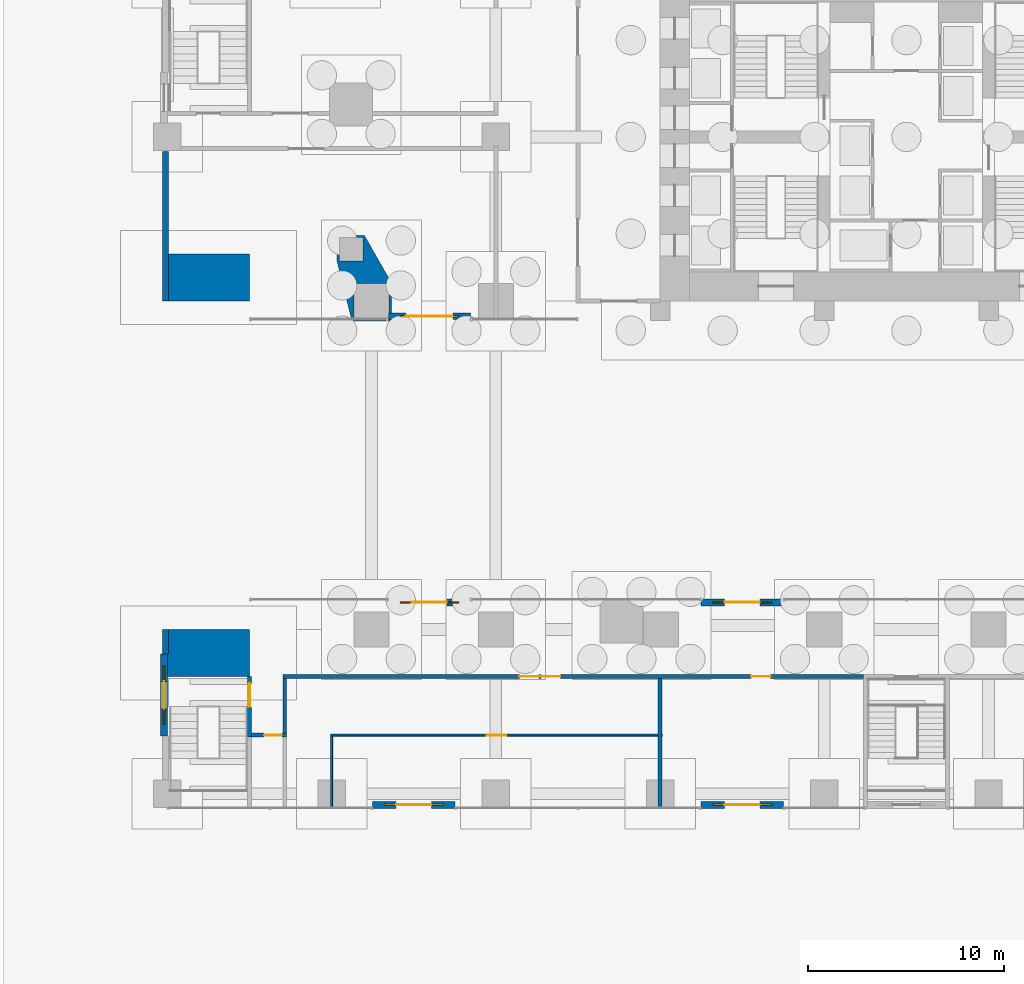
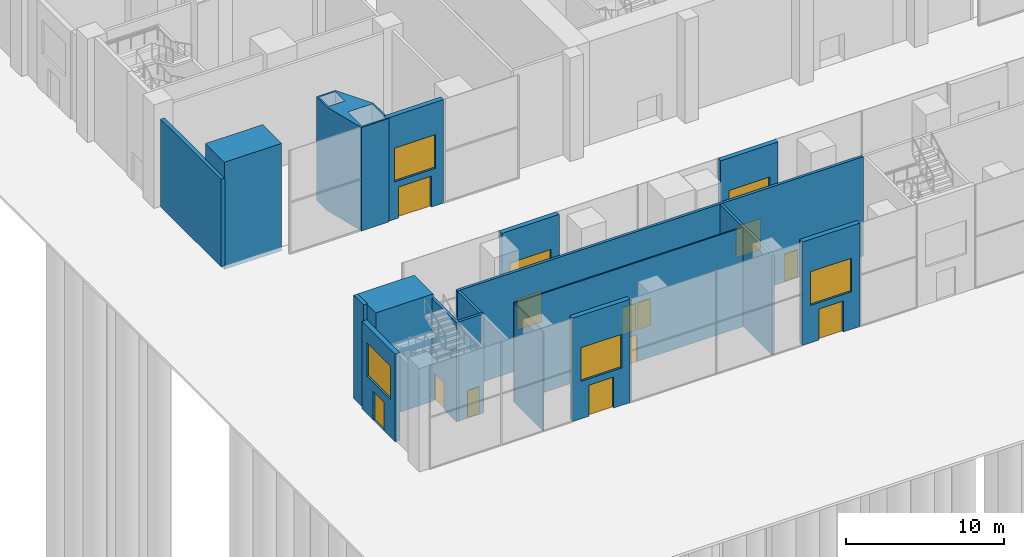
# One storey, part 13 of 31: 18 walls, 12 doors, 6 windows, 18 openings.
"""IFC4 building model written with IfcOpenShell, lengths in metres."""

from ifc_helpers import new_model, si_unit, direction, frame, frame_2d, origin, place, context, subcontext, project, spatial, polyline, rectangle, outline, extrude, material, layer, layer_set, type_object, element, fill, save


model = new_model("IFC4")

# Units and contexts
model_context = context("Model", 3, precision=1e-05, world=origin(), true_north=direction((0.0, 1.0)))
body_context = subcontext(model_context, "Body", "Model", "MODEL_VIEW")
ifc_project = project(units=[si_unit("LENGTHUNIT", "METRE"), si_unit("AREAUNIT", "SQUARE_METRE"), si_unit("VOLUMEUNIT", "CUBIC_METRE"), si_unit("PLANEANGLEUNIT", "RADIAN"), si_unit("MASSUNIT", "GRAM", prefix="KILO")], contexts=[model_context])

# Site, building, storey
site_placement = place(None, origin())
site = spatial("IfcSite", under=ifc_project, at=site_placement, CompositionType="ELEMENT")
building_placement = place(site_placement, origin())
building = spatial("IfcBuilding", under=site, at=building_placement, Name="Marenta Gate Hotel Tower", CompositionType="ELEMENT")
storey_placement = place(building_placement, origin())
storey = spatial("IfcBuildingStorey", under=building, at=storey_placement, Name="L00", CompositionType="ELEMENT", Elevation=0.0)

# Walls
ifc_material_1 = material(Name="Concrete C40 board-marked", Category="concrete")
ifc_layer_1 = layer(ifc_material_1, 0.300048828125)
ifc_layer_set_1 = layer_set([ifc_layer_1], Name="Concrete C40 board-marked")
wall_type_1 = type_object("IfcWallType", Name="Board-marked concrete wall 300 mm", PredefinedType="NOTDEFINED", material=ifc_layer_set_1)
wall_1_placement = place(storey_placement, frame((-37.889892578125, -16.800048828125, 0.0), z_axis=(0.0, 0.0, 1.0), x_axis=(0.0, -1.0, 0.0)))
element("IfcWall", 1, at=wall_1_placement, inside=storey, type_object=wall_type_1, Name="L00-CLD-SB-W000", PredefinedType="NOTDEFINED", context=body_context, shape_type="SweptSolid", body=[
    extrude(rectangle(XDim=1.25, YDim=0.300048828125, at=frame_2d((0.625, 0.0))), origin(), (0.0, 0.0, 1.0), 8.0),
])
wall_2_placement = place(storey_placement, frame((-37.889892578125, 7.659912109375, 0.0), z_axis=(0.0, 0.0, 1.0), x_axis=(0.0, -1.0, 0.0)))
element("IfcWall", 2, at=wall_2_placement, inside=storey, type_object=wall_type_1, Name="L00-CLD-NB-W005", PredefinedType="NOTDEFINED", context=body_context, shape_type="SweptSolid", body=[
    extrude(rectangle(XDim=7.659912109375, YDim=0.300048828125, at=frame_2d((3.830078125, 0.0))), origin(), (0.0, 0.0, 1.0), 6.780029296875),
])

# Wall, openings, door, window
ifc_material_2 = material(Name="Concrete C40 board-marked", Category="concrete")
ifc_layer_2 = layer(ifc_material_2, 0.35009765625)
ifc_layer_set_2 = layer_set([ifc_layer_2], Name="Concrete C40 board-marked")
wall_type_2 = type_object("IfcWallType", Name="Entrance portal wall 350 mm", PredefinedType="NOTDEFINED", material=ifc_layer_set_2)
wall_3_placement = place(storey_placement, frame((-27.300048828125, -25.763916015625, 0.0), z_axis=(0.0, 0.0, 1.0), x_axis=(1.0, 0.0, 0.0)))
wall_3 = element("IfcWall", 3, at=wall_3_placement, inside=storey, type_object=wall_type_2, Name="L00-CLD-SB-S-P0", PredefinedType="NOTDEFINED", context=body_context, shape_type="SweptSolid", body=[
    extrude(rectangle(XDim=4.199951171875, YDim=0.35009765625, at=frame_2d((2.10009765625, 0.0))), origin(), (0.0, 0.0, 1.0), 8.0),
])
opening_1_placement = place(wall_3_placement, frame((1.199951171875, 0.0, 0.0)))
opening_1 = element("IfcOpeningElement", 4, at=opening_1_placement, cuts=wall_3, Name="Opening X01", PredefinedType="OPENING", context=body_context, shape_type="SweptSolid", body=[
    extrude(rectangle(XDim=1.800048828125, YDim=2.39990234375, at=frame_2d((0.89990234375, 1.199951171875))), frame((0.0, 0.175048828125, 0.0), z_axis=(0.0, -1.0, 0.0), x_axis=(1.0, 0.0, 0.0)), (0.0, 0.0, 1.0), 0.35009765625),
])
opening_2_placement = place(wall_3_placement, frame((0.60009765625, 0.0, 2.89990234375)))
opening_2 = element("IfcOpeningElement", 5, at=opening_2_placement, cuts=wall_3, Name="Opening WT", PredefinedType="OPENING", context=body_context, shape_type="SweptSolid", body=[
    extrude(rectangle(XDim=3.0, YDim=2.60009765625, at=frame_2d((1.5, 1.300048828125))), frame((0.0, 0.175048828125, 0.0), z_axis=(0.0, -1.0, 0.0), x_axis=(1.0, 0.0, 0.0)), (0.0, 0.0, 1.0), 0.35009765625),
])
ifc_material_3 = material(Name="Bronze anodised aluminium and glass", Category="aluminium")
door_type_1 = type_object("IfcDoorType", Name="Exterior door XS 1800x2400", OperationType="DOUBLE_DOOR_DOUBLE_SWING", PredefinedType="DOOR", material=ifc_material_3)
door_1_placement = place(opening_1_placement, frame((1.800048828125, 0.0, 0.0), z_axis=(0.0, 0.0, 1.0), x_axis=(-1.0, 0.0, 0.0)))
door_1 = element("IfcDoor", 6, at=door_1_placement, inside=storey, type_object=door_type_1, Name="Entrance door X01", OperationType="DOUBLE_DOOR_DOUBLE_SWING", OverallHeight=2.39990234375, OverallWidth=1.800048828125, PredefinedType="DOOR", context=body_context, shape_type="SweptSolid", body=[
    extrude(rectangle(XDim=1.800048828125, YDim=2.39990234375, at=frame_2d((0.89990234375, 1.199951171875))), frame((0.0, 0.02490234375, 0.0), z_axis=(0.0, -1.0, 0.0), x_axis=(1.0, 0.0, 0.0)), (0.0, 0.0, 1.0), 0.050048828125),
])
fill(opening_1, door_1)
ifc_material_4 = material(Name="Tinted insulated glass in bronze anodised frame", Category="glass")
window_type = type_object("IfcWindowType", Name="Window WT 3000x2600 bronze frame", PartitioningType="SINGLE_PANEL", PredefinedType="WINDOW", material=ifc_material_4)
window_1_placement = place(opening_2_placement, origin())
window_1 = element("IfcWindow", 7, at=window_1_placement, inside=storey, type_object=window_type, Name="Window WT", OverallHeight=2.60009765625, OverallWidth=3.0, PartitioningType="SINGLE_PANEL", PredefinedType="WINDOW", context=body_context, shape_type="SweptSolid", body=[
    extrude(rectangle(XDim=3.0, YDim=2.60009765625, at=frame_2d((1.5, 1.300048828125))), frame((0.0, 0.030029296875, 0.0), z_axis=(0.0, -1.0, 0.0), x_axis=(1.0, 0.0, 0.0)), (0.0, 0.0, 1.0), 0.06005859375),
])
fill(opening_2, window_1)

wall_4_placement = place(storey_placement, frame((-10.5, -25.763916015625, 0.0), z_axis=(0.0, 0.0, 1.0), x_axis=(1.0, 0.0, 0.0)))
wall_4 = element("IfcWall", 8, at=wall_4_placement, inside=storey, type_object=wall_type_2, Name="L00-CLD-SB-S-P1", PredefinedType="NOTDEFINED", context=body_context, shape_type="SweptSolid", body=[
    extrude(rectangle(XDim=4.199951171875, YDim=0.35009765625, at=frame_2d((2.10009765625, 0.0))), origin(), (0.0, 0.0, 1.0), 8.0),
])
opening_3_placement = place(wall_4_placement, frame((1.199951171875, 0.0, 0.0)))
opening_3 = element("IfcOpeningElement", 9, at=opening_3_placement, cuts=wall_4, Name="Opening X02", PredefinedType="OPENING", context=body_context, shape_type="SweptSolid", body=[
    extrude(rectangle(XDim=1.800048828125, YDim=2.39990234375, at=frame_2d((0.89990234375, 1.199951171875))), frame((0.0, 0.175048828125, 0.0), z_axis=(0.0, -1.0, 0.0), x_axis=(1.0, 0.0, 0.0)), (0.0, 0.0, 1.0), 0.35009765625),
])
opening_4_placement = place(wall_4_placement, frame((0.60009765625, 0.0, 2.89990234375)))
opening_4 = element("IfcOpeningElement", 10, at=opening_4_placement, cuts=wall_4, Name="Opening WT", PredefinedType="OPENING", context=body_context, shape_type="SweptSolid", body=[
    extrude(rectangle(XDim=3.0, YDim=2.60009765625, at=frame_2d((1.5, 1.300048828125))), frame((0.0, 0.175048828125, 0.0), z_axis=(0.0, -1.0, 0.0), x_axis=(1.0, 0.0, 0.0)), (0.0, 0.0, 1.0), 0.35009765625),
])
door_2_placement = place(opening_3_placement, frame((1.800048828125, 0.0, 0.0), z_axis=(0.0, 0.0, 1.0), x_axis=(-1.0, 0.0, 0.0)))
door_2 = element("IfcDoor", 11, at=door_2_placement, inside=storey, type_object=door_type_1, Name="Entrance door X02", OperationType="DOUBLE_DOOR_DOUBLE_SWING", OverallHeight=2.39990234375, OverallWidth=1.800048828125, PredefinedType="DOOR", context=body_context, shape_type="SweptSolid", body=[
    extrude(rectangle(XDim=1.800048828125, YDim=2.39990234375, at=frame_2d((0.89990234375, 1.199951171875))), frame((0.0, 0.02490234375, 0.0), z_axis=(0.0, -1.0, 0.0), x_axis=(1.0, 0.0, 0.0)), (0.0, 0.0, 1.0), 0.050048828125),
])
fill(opening_3, door_2)
window_2_placement = place(opening_4_placement, origin())
window_2 = element("IfcWindow", 12, at=window_2_placement, inside=storey, type_object=window_type, Name="Window WT", OverallHeight=2.60009765625, OverallWidth=3.0, PartitioningType="SINGLE_PANEL", PredefinedType="WINDOW", context=body_context, shape_type="SweptSolid", body=[
    extrude(rectangle(XDim=3.0, YDim=2.60009765625, at=frame_2d((1.5, 1.300048828125))), frame((0.0, 0.030029296875, 0.0), z_axis=(0.0, -1.0, 0.0), x_axis=(1.0, 0.0, 0.0)), (0.0, 0.0, 1.0), 0.06005859375),
])
fill(opening_4, window_2)

wall_5_placement = place(storey_placement, frame((-22.300048828125, -15.410888671875, 0.0), z_axis=(0.0, 0.0, 1.0), x_axis=(-1.0, 0.0, 0.0)))
wall_5 = element("IfcWall", 13, at=wall_5_placement, inside=storey, type_object=wall_type_2, Name="L00-CLD-SB-N-P0", PredefinedType="NOTDEFINED", context=body_context, shape_type="SweptSolid", body=[
    extrude(rectangle(XDim=4.199951171875, YDim=0.35009765625, at=frame_2d((2.10009765625, 0.0))), origin(), (0.0, 0.0, 1.0), 8.0),
])
opening_5_placement = place(wall_5_placement, frame((1.199951171875, 0.0, 0.0)))
opening_5 = element("IfcOpeningElement", 14, at=opening_5_placement, cuts=wall_5, Name="Opening X07", PredefinedType="OPENING", context=body_context, shape_type="SweptSolid", body=[
    extrude(rectangle(XDim=1.800048828125, YDim=2.39990234375, at=frame_2d((0.89990234375, 1.199951171875))), frame((0.0, 0.175048828125, 0.0), z_axis=(0.0, -1.0, 0.0), x_axis=(1.0, 0.0, 0.0)), (0.0, 0.0, 1.0), 0.35009765625),
])
opening_6_placement = place(wall_5_placement, frame((0.60009765625, 0.0, 2.89990234375)))
opening_6 = element("IfcOpeningElement", 15, at=opening_6_placement, cuts=wall_5, Name="Opening WT", PredefinedType="OPENING", context=body_context, shape_type="SweptSolid", body=[
    extrude(rectangle(XDim=3.0, YDim=2.60009765625, at=frame_2d((1.5, 1.300048828125))), frame((0.0, 0.175048828125, 0.0), z_axis=(0.0, -1.0, 0.0), x_axis=(1.0, 0.0, 0.0)), (0.0, 0.0, 1.0), 0.35009765625),
])
door_3_placement = place(opening_5_placement, frame((1.800048828125, 0.0, 0.0), z_axis=(0.0, 0.0, 1.0), x_axis=(-1.0, 0.0, 0.0)))
door_3 = element("IfcDoor", 16, at=door_3_placement, inside=storey, type_object=door_type_1, Name="Entrance door X07", OperationType="DOUBLE_DOOR_DOUBLE_SWING", OverallHeight=2.39990234375, OverallWidth=1.800048828125, PredefinedType="DOOR", context=body_context, shape_type="SweptSolid", body=[
    extrude(rectangle(XDim=1.800048828125, YDim=2.39990234375, at=frame_2d((0.89990234375, 1.199951171875))), frame((0.0, 0.02490234375, 0.0), z_axis=(0.0, -1.0, 0.0), x_axis=(1.0, 0.0, 0.0)), (0.0, 0.0, 1.0), 0.050048828125),
])
fill(opening_5, door_3)
window_3_placement = place(opening_6_placement, origin())
window_3 = element("IfcWindow", 17, at=window_3_placement, inside=storey, type_object=window_type, Name="Window WT", OverallHeight=2.60009765625, OverallWidth=3.0, PartitioningType="SINGLE_PANEL", PredefinedType="WINDOW", context=body_context, shape_type="SweptSolid", body=[
    extrude(rectangle(XDim=3.0, YDim=2.60009765625, at=frame_2d((1.5, 1.300048828125))), frame((0.0, 0.030029296875, 0.0), z_axis=(0.0, -1.0, 0.0), x_axis=(1.0, 0.0, 0.0)), (0.0, 0.0, 1.0), 0.06005859375),
])
fill(opening_6, window_3)

wall_6_placement = place(storey_placement, frame((-6.300048828125, -15.410888671875, 0.0), z_axis=(0.0, 0.0, 1.0), x_axis=(-1.0, 0.0, 0.0)))
wall_6 = element("IfcWall", 18, at=wall_6_placement, inside=storey, type_object=wall_type_2, Name="L00-CLD-SB-N-P1", PredefinedType="NOTDEFINED", context=body_context, shape_type="SweptSolid", body=[
    extrude(rectangle(XDim=4.199951171875, YDim=0.35009765625, at=frame_2d((2.10009765625, 0.0))), origin(), (0.0, 0.0, 1.0), 8.0),
])
opening_7_placement = place(wall_6_placement, frame((1.199951171875, 0.0, 0.0)))
opening_7 = element("IfcOpeningElement", 19, at=opening_7_placement, cuts=wall_6, Name="Opening X08", PredefinedType="OPENING", context=body_context, shape_type="SweptSolid", body=[
    extrude(rectangle(XDim=1.800048828125, YDim=2.39990234375, at=frame_2d((0.89990234375, 1.199951171875))), frame((0.0, 0.175048828125, 0.0), z_axis=(0.0, -1.0, 0.0), x_axis=(1.0, 0.0, 0.0)), (0.0, 0.0, 1.0), 0.35009765625),
])
opening_8_placement = place(wall_6_placement, frame((0.60009765625, 0.0, 2.89990234375)))
opening_8 = element("IfcOpeningElement", 20, at=opening_8_placement, cuts=wall_6, Name="Opening WT", PredefinedType="OPENING", context=body_context, shape_type="SweptSolid", body=[
    extrude(rectangle(XDim=3.0, YDim=2.60009765625, at=frame_2d((1.5, 1.300048828125))), frame((0.0, 0.175048828125, 0.0), z_axis=(0.0, -1.0, 0.0), x_axis=(1.0, 0.0, 0.0)), (0.0, 0.0, 1.0), 0.35009765625),
])
door_4_placement = place(opening_7_placement, frame((1.800048828125, 0.0, 0.0), z_axis=(0.0, 0.0, 1.0), x_axis=(-1.0, 0.0, 0.0)))
door_4 = element("IfcDoor", 21, at=door_4_placement, inside=storey, type_object=door_type_1, Name="Entrance door X08", OperationType="DOUBLE_DOOR_DOUBLE_SWING", OverallHeight=2.39990234375, OverallWidth=1.800048828125, PredefinedType="DOOR", context=body_context, shape_type="SweptSolid", body=[
    extrude(rectangle(XDim=1.800048828125, YDim=2.39990234375, at=frame_2d((0.89990234375, 1.199951171875))), frame((0.0, 0.02490234375, 0.0), z_axis=(0.0, -1.0, 0.0), x_axis=(1.0, 0.0, 0.0)), (0.0, 0.0, 1.0), 0.050048828125),
])
fill(opening_7, door_4)
window_4_placement = place(opening_8_placement, origin())
window_4 = element("IfcWindow", 22, at=window_4_placement, inside=storey, type_object=window_type, Name="Window WT", OverallHeight=2.60009765625, OverallWidth=3.0, PartitioningType="SINGLE_PANEL", PredefinedType="WINDOW", context=body_context, shape_type="SweptSolid", body=[
    extrude(rectangle(XDim=3.0, YDim=2.60009765625, at=frame_2d((1.5, 1.300048828125))), frame((0.0, 0.030029296875, 0.0), z_axis=(0.0, -1.0, 0.0), x_axis=(1.0, 0.0, 0.0)), (0.0, 0.0, 1.0), 0.06005859375),
])
fill(opening_8, window_4)

wall_7_placement = place(storey_placement, frame((-37.97509765625, -18.050048828125, 0.0), z_axis=(0.0, 0.0, 1.0), x_axis=(0.0, -1.0, 0.0)))
wall_7 = element("IfcWall", 23, at=wall_7_placement, inside=storey, type_object=wall_type_2, Name="L00-CLD-SB-W-P0", PredefinedType="NOTDEFINED", context=body_context, shape_type="SweptSolid", body=[
    extrude(rectangle(XDim=4.199951171875, YDim=0.35009765625, at=frame_2d((2.10009765625, 0.0))), origin(), (0.0, 0.0, 1.0), 6.780029296875),
])
opening_9_placement = place(wall_7_placement, frame((1.39990234375, 0.0, 0.0)))
opening_9 = element("IfcOpeningElement", 24, at=opening_9_placement, cuts=wall_7, Name="Opening X11", PredefinedType="OPENING", context=body_context, shape_type="SweptSolid", body=[
    extrude(rectangle(XDim=1.39990234375, YDim=2.199951171875, at=frame_2d((0.699951171875, 1.10009765625))), frame((0.0, 0.175048828125, 0.0), z_axis=(0.0, -1.0, 0.0), x_axis=(1.0, 0.0, 0.0)), (0.0, 0.0, 1.0), 0.35009765625),
])
opening_10_placement = place(wall_7_placement, frame((0.60009765625, 0.0, 2.89990234375)))
opening_10 = element("IfcOpeningElement", 25, at=opening_10_placement, cuts=wall_7, Name="Opening WT", PredefinedType="OPENING", context=body_context, shape_type="SweptSolid", body=[
    extrude(rectangle(XDim=3.0, YDim=2.60009765625, at=frame_2d((1.5, 1.300048828125))), frame((0.0, 0.175048828125, 0.0), z_axis=(0.0, -1.0, 0.0), x_axis=(1.0, 0.0, 0.0)), (0.0, 0.0, 1.0), 0.35009765625),
])
ifc_material_5 = material(Name="Bronze anodised aluminium and glass", Category="aluminium")
door_type_2 = type_object("IfcDoorType", Name="Exterior door XB 1400x2200", OperationType="NOTDEFINED", PredefinedType="DOOR", material=ifc_material_5)
door_5_placement = place(opening_9_placement, frame((1.39990234375, 0.0, 0.0), z_axis=(0.0, 0.0, 1.0), x_axis=(-1.0, 0.0, 0.0)))
door_5 = element("IfcDoor", 26, at=door_5_placement, inside=storey, type_object=door_type_2, Name="Entrance door X11", OperationType="SINGLE_SWING_LEFT", OverallHeight=2.199951171875, OverallWidth=1.39990234375, PredefinedType="DOOR", context=body_context, shape_type="SweptSolid", body=[
    extrude(rectangle(XDim=1.39990234375, YDim=2.199951171875, at=frame_2d((0.699951171875, 1.10009765625))), frame((0.0, 0.02490234375, 0.0), z_axis=(0.0, -1.0, 0.0), x_axis=(1.0, 0.0, 0.0)), (0.0, 0.0, 1.0), 0.050048828125),
])
fill(opening_9, door_5)
window_5_placement = place(opening_10_placement, origin())
window_5 = element("IfcWindow", 27, at=window_5_placement, inside=storey, type_object=window_type, Name="Window WT", OverallHeight=2.60009765625, OverallWidth=3.0, PartitioningType="SINGLE_PANEL", PredefinedType="WINDOW", context=body_context, shape_type="SweptSolid", body=[
    extrude(rectangle(XDim=3.0, YDim=2.60009765625, at=frame_2d((1.5, 1.300048828125))), frame((0.0, 0.030029296875, 0.0), z_axis=(0.0, -1.0, 0.0), x_axis=(1.0, 0.0, 0.0)), (0.0, 0.0, 1.0), 0.06005859375),
])
fill(opening_10, window_5)

wall_8_placement = place(storey_placement, frame((-26.5, -0.77392578125, 0.0), z_axis=(0.0, 0.0, 1.0), x_axis=(1.0, 0.0, 0.0)))
wall_8 = element("IfcWall", 28, at=wall_8_placement, inside=storey, type_object=wall_type_2, Name="L00-CLD-NB-S-P0", PredefinedType="NOTDEFINED", context=body_context, shape_type="SweptSolid", body=[
    extrude(rectangle(XDim=4.199951171875, YDim=0.35009765625, at=frame_2d((2.10009765625, 0.0))), origin(), (0.0, 0.0, 1.0), 8.0),
])
opening_11_placement = place(wall_8_placement, frame((0.89990234375, 0.0, 0.0)))
opening_11 = element("IfcOpeningElement", 29, at=opening_11_placement, cuts=wall_8, Name="Opening X12", PredefinedType="OPENING", context=body_context, shape_type="SweptSolid", body=[
    extrude(rectangle(XDim=2.39990234375, YDim=2.39990234375, at=frame_2d((1.199951171875, 1.199951171875))), frame((0.0, 0.175048828125, 0.0), z_axis=(0.0, -1.0, 0.0), x_axis=(1.0, 0.0, 0.0)), (0.0, 0.0, 1.0), 0.35009765625),
])
opening_12_placement = place(wall_8_placement, frame((0.60009765625, 0.0, 2.89990234375)))
opening_12 = element("IfcOpeningElement", 30, at=opening_12_placement, cuts=wall_8, Name="Opening WT", PredefinedType="OPENING", context=body_context, shape_type="SweptSolid", body=[
    extrude(rectangle(XDim=3.0, YDim=2.60009765625, at=frame_2d((1.5, 1.300048828125))), frame((0.0, 0.175048828125, 0.0), z_axis=(0.0, -1.0, 0.0), x_axis=(1.0, 0.0, 0.0)), (0.0, 0.0, 1.0), 0.35009765625),
])
ifc_material_6 = material(Name="Bronze anodised aluminium and glass", Category="aluminium")
door_type_3 = type_object("IfcDoorType", Name="Exterior door XE 2400x2400", OperationType="DOUBLE_DOOR_DOUBLE_SWING", PredefinedType="DOOR", material=ifc_material_6)
door_6_placement = place(opening_11_placement, frame((2.39990234375, 0.0, 0.0), z_axis=(0.0, 0.0, 1.0), x_axis=(-1.0, 0.0, 0.0)))
door_6 = element("IfcDoor", 31, at=door_6_placement, inside=storey, type_object=door_type_3, Name="Entrance door X12", OperationType="DOUBLE_DOOR_DOUBLE_SWING", OverallHeight=2.39990234375, OverallWidth=2.39990234375, PredefinedType="DOOR", context=body_context, shape_type="SweptSolid", body=[
    extrude(rectangle(XDim=2.39990234375, YDim=2.39990234375, at=frame_2d((1.199951171875, 1.199951171875))), frame((0.0, 0.02490234375, 0.0), z_axis=(0.0, -1.0, 0.0), x_axis=(1.0, 0.0, 0.0)), (0.0, 0.0, 1.0), 0.050048828125),
])
fill(opening_11, door_6)
window_6_placement = place(opening_12_placement, origin())
window_6 = element("IfcWindow", 32, at=window_6_placement, inside=storey, type_object=window_type, Name="Window WT", OverallHeight=2.60009765625, OverallWidth=3.0, PartitioningType="SINGLE_PANEL", PredefinedType="WINDOW", context=body_context, shape_type="SweptSolid", body=[
    extrude(rectangle(XDim=3.0, YDim=2.60009765625, at=frame_2d((1.5, 1.300048828125))), frame((0.0, 0.030029296875, 0.0), z_axis=(0.0, -1.0, 0.0), x_axis=(1.0, 0.0, 0.0)), (0.0, 0.0, 1.0), 0.06005859375),
])
fill(opening_12, window_6)

# Walls
ifc_material_7 = material(Name="Concrete C80", Category="concrete")
ifc_layer_3 = layer(ifc_material_7, 2.39990234375)
ifc_layer_set_3 = layer_set([ifc_layer_3], Name="Concrete C80")
wall_type_3 = type_object("IfcWallType", Name="Gate pier wall 2400 C80", PredefinedType="SOLIDWALL", material=ifc_layer_set_3)
for number, where, z_axis, x_axis, name in (
    (33, (-37.800048828125, -18.0, -0.300048828125), (0.0, 0.0, 1.0), (1.0, 0.0, 0.0), "PW1 L00-PWL-WS"),
    (34, (-37.800048828125, 1.199951171875, -0.300048828125), (0.0, 0.0, 1.0), (1.0, 0.0, 0.0), "PW1 L00-PWL-WN"),
):
    element("IfcWall", number, at=place(storey_placement, frame(where, z_axis=z_axis, x_axis=x_axis)), inside=storey, type_object=wall_type_3, Name=name, PredefinedType="SOLIDWALL", context=body_context, shape_type="SweptSolid", body=[
        extrude(rectangle(XDim=4.199951171875, YDim=2.39990234375, at=frame_2d((2.10009765625, 0.0))), origin(), (0.0, 0.0, 1.0), 8.300048828125),
    ])
ifc_material_8 = material(Name="Concrete C70", Category="concrete")
ifc_layer_4 = layer(ifc_material_8, 1.60009765625)
ifc_layer_set_4 = layer_set([ifc_layer_4], Name="Concrete C70")
wall_type_4 = type_object("IfcWallType", Name="Pier wall board-marked concrete C70", PredefinedType="SOLIDWALL", material=ifc_layer_set_4)
wall_9_placement = place(storey_placement, origin())
element("IfcWall", 35, at=wall_9_placement, inside=storey, type_object=wall_type_4, Name="L00-PIER-1", PredefinedType="SOLIDWALL", context=body_context, shape_type="SweptSolid", body=[
    extrude(outline(polyline([(-29.1201171875, 3.369140625), (-27.730224609375, 3.369140625), (-26.343017578125, 0.931640625), (-26.343017578125, -1.02001953125), (-28.356689453125, -1.02001953125), (-29.1201171875, 2.034423828125), (-29.1201171875, 3.369140625)]), holes=[polyline([(-26.462890625, -0.89990234375), (-26.462890625, 0.89990234375), (-28.262939453125, 0.89990234375), (-28.262939453125, -0.89990234375), (-26.462890625, -0.89990234375)]), polyline([(-27.800048828125, 2.049072265625), (-27.800048828125, 3.2490234375), (-29.0, 3.2490234375), (-29.0, 2.049072265625), (-27.800048828125, 2.049072265625)])]), origin(), (0.0, 0.0, 1.0), 8.0),
])

# Wall, openings, doors
ifc_material_9 = material(Name="Gypsum board on steel stud", Category="steel")
ifc_layer_5 = layer(ifc_material_9, 0.199951171875)
ifc_layer_set_5 = layer_set([ifc_layer_5], Name="Gypsum board on steel stud")
wall_type_5 = type_object("IfcWallType", Name="Room corridor wall 200 EI 60", PredefinedType="PARTITIONING", material=ifc_layer_set_5)
wall_10_placement = place(storey_placement, frame((-31.89990234375, -19.199951171875, 0.0), z_axis=(0.0, 0.0, 1.0), x_axis=(1.0, 0.0, 0.0)))
wall_10 = element("IfcWall", 36, at=wall_10_placement, inside=storey, type_object=wall_type_5, Name="L00-PTN-W022", PredefinedType="PARTITIONING", context=body_context, shape_type="SweptSolid", body=[
    extrude(rectangle(XDim=29.699951171875, YDim=0.199951171875, at=frame_2d((14.85009765625, 0.0))), origin(), (0.0, 0.0, 1.0), 7.679931640625),
])
opening_13_placement = place(wall_10_placement, frame((13.199951171875, 0.0, 0.0)))
opening_13 = element("IfcOpeningElement", 37, at=opening_13_placement, cuts=wall_10, Name="Opening S01-30", PredefinedType="OPENING", context=body_context, shape_type="SweptSolid", body=[
    extrude(rectangle(XDim=1.0, YDim=2.10009765625, at=frame_2d((0.5, 1.050048828125))), frame((0.0, 0.10009765625, 0.0), z_axis=(0.0, -1.0, 0.0), x_axis=(1.0, 0.0, 0.0)), (0.0, 0.0, 1.0), 0.199951171875),
])
opening_14_placement = place(wall_10_placement, frame((12.10009765625, 0.0, 0.0)))
opening_14 = element("IfcOpeningElement", 38, at=opening_14_placement, cuts=wall_10, Name="Opening S01-31", PredefinedType="OPENING", context=body_context, shape_type="SweptSolid", body=[
    extrude(rectangle(XDim=1.0, YDim=2.10009765625, at=frame_2d((0.5, 1.050048828125))), frame((0.0, 0.10009765625, 0.0), z_axis=(0.0, -1.0, 0.0), x_axis=(1.0, 0.0, 0.0)), (0.0, 0.0, 1.0), 0.199951171875),
])
opening_15_placement = place(wall_10_placement, frame((23.949951171875, 0.0, 0.0)))
opening_15 = element("IfcOpeningElement", 39, at=opening_15_placement, cuts=wall_10, Name="Opening S01-33", PredefinedType="OPENING", context=body_context, shape_type="SweptSolid", body=[
    extrude(rectangle(XDim=1.0, YDim=2.10009765625, at=frame_2d((0.5, 1.050048828125))), frame((0.0, 0.10009765625, 0.0), z_axis=(0.0, -1.0, 0.0), x_axis=(1.0, 0.0, 0.0)), (0.0, 0.0, 1.0), 0.199951171875),
])
ifc_material_10 = material(Name="Timber door leaf", Category="wood")
door_type_4 = type_object("IfcDoorType", Name="Room amenity door 1000x2100 EI 30", OperationType="NOTDEFINED", PredefinedType="DOOR", material=ifc_material_10)
door_7_placement = place(opening_13_placement, origin())
door_7 = element("IfcDoor", 40, at=door_7_placement, inside=storey, type_object=door_type_4, Name="L00-PD-D030", OperationType="SINGLE_SWING_LEFT", OverallHeight=2.10009765625, OverallWidth=1.0, PredefinedType="DOOR", context=body_context, shape_type="SweptSolid", body=[
    extrude(rectangle(XDim=1.0, YDim=2.10009765625, at=frame_2d((0.5, 1.050048828125))), frame((0.0, 0.02490234375, 0.0), z_axis=(0.0, -1.0, 0.0), x_axis=(1.0, 0.0, 0.0)), (0.0, 0.0, 1.0), 0.050048828125),
])
fill(opening_13, door_7)
door_8_placement = place(opening_14_placement, origin())
door_8 = element("IfcDoor", 41, at=door_8_placement, inside=storey, type_object=door_type_4, Name="L00-PD-D031", OperationType="SINGLE_SWING_LEFT", OverallHeight=2.10009765625, OverallWidth=1.0, PredefinedType="DOOR", context=body_context, shape_type="SweptSolid", body=[
    extrude(rectangle(XDim=1.0, YDim=2.10009765625, at=frame_2d((0.5, 1.050048828125))), frame((0.0, 0.02490234375, 0.0), z_axis=(0.0, -1.0, 0.0), x_axis=(1.0, 0.0, 0.0)), (0.0, 0.0, 1.0), 0.050048828125),
])
fill(opening_14, door_8)
door_9_placement = place(opening_15_placement, origin())
door_9 = element("IfcDoor", 42, at=door_9_placement, inside=storey, type_object=door_type_4, Name="L00-PD-D033", OperationType="SINGLE_SWING_RIGHT", OverallHeight=2.10009765625, OverallWidth=1.0, PredefinedType="DOOR", context=body_context, shape_type="SweptSolid", body=[
    extrude(rectangle(XDim=1.0, YDim=2.10009765625, at=frame_2d((0.5, 1.050048828125))), frame((0.0, 0.02490234375, 0.0), z_axis=(0.0, -1.0, 0.0), x_axis=(1.0, 0.0, 0.0)), (0.0, 0.0, 1.0), 0.050048828125),
])
fill(opening_15, door_9)

# Wall, opening, door
ifc_material_11 = material(Name="Concrete blockwork", Category="masonry")
ifc_layer_6 = layer(ifc_material_11, 0.199951171875)
ifc_layer_set_6 = layer_set([ifc_layer_6], Name="Concrete blockwork")
wall_type_6 = type_object("IfcWallType", Name="Room corridor wall 200 REI 180", PredefinedType="PARTITIONING", material=ifc_layer_set_6)
wall_11_placement = place(storey_placement, frame((-33.5, -22.199951171875, 0.0), z_axis=(0.0, 0.0, 1.0), x_axis=(1.0, 0.0, 0.0)))
wall_11 = element("IfcWall", 43, at=wall_11_placement, inside=storey, type_object=wall_type_6, Name="L00-PTN-W014", PredefinedType="PARTITIONING", context=body_context, shape_type="SweptSolid", body=[
    extrude(rectangle(XDim=1.800048828125, YDim=0.199951171875, at=frame_2d((0.89990234375, 0.0))), origin(), (0.0, 0.0, 1.0), 7.679931640625),
])
opening_16_placement = place(wall_11_placement, frame((0.64990234375, 0.0, 0.0)))
opening_16 = element("IfcOpeningElement", 44, at=opening_16_placement, cuts=wall_11, Name="Opening S01-27", PredefinedType="OPENING", context=body_context, shape_type="SweptSolid", body=[
    extrude(rectangle(XDim=0.89990234375, YDim=2.10009765625, at=frame_2d((0.449951171875, 1.050048828125))), frame((0.0, 0.10009765625, 0.0), z_axis=(0.0, -1.0, 0.0), x_axis=(1.0, 0.0, 0.0)), (0.0, 0.0, 1.0), 0.199951171875),
])
ifc_material_12 = material(Name="Hollow steel door set", Category="steel")
door_type_5 = type_object("IfcDoorType", Name="Room service door 900x2100 EI 60", OperationType="NOTDEFINED", PredefinedType="DOOR", material=ifc_material_12)
door_10_placement = place(opening_16_placement, origin())
door_10 = element("IfcDoor", 45, at=door_10_placement, inside=storey, type_object=door_type_5, Name="L00-PD-D027", OperationType="SINGLE_SWING_LEFT", OverallHeight=2.10009765625, OverallWidth=0.89990234375, PredefinedType="DOOR", context=body_context, shape_type="SweptSolid", body=[
    extrude(rectangle(XDim=0.89990234375, YDim=2.10009765625, at=frame_2d((0.449951171875, 1.050048828125))), frame((0.0, 0.02490234375, 0.0), z_axis=(0.0, -1.0, 0.0), x_axis=(1.0, 0.0, 0.0)), (0.0, 0.0, 1.0), 0.050048828125),
])
fill(opening_16, door_10)

# Wall
wall_12_placement = place(storey_placement, frame((-31.800048828125, -22.10009765625, 0.0), z_axis=(0.0, 0.0, 1.0), x_axis=(0.0, 1.0, 0.0)))
element("IfcWall", 46, at=wall_12_placement, inside=storey, type_object=wall_type_6, Name="L00-PTN-W069", PredefinedType="PARTITIONING", context=body_context, shape_type="SweptSolid", body=[
    extrude(rectangle(XDim=2.800048828125, YDim=0.199951171875, at=frame_2d((1.39990234375, 0.0))), origin(), (0.0, 0.0, 1.0), 7.679931640625),
])

# Wall, opening, door
wall_13_placement = place(storey_placement, frame((-33.60009765625, -22.300048828125, 0.0), z_axis=(0.0, 0.0, 1.0), x_axis=(0.0, 1.0, 0.0)))
wall_13 = element("IfcWall", 47, at=wall_13_placement, inside=storey, type_object=wall_type_6, Name="L00-PTN-W072", PredefinedType="PARTITIONING", context=body_context, shape_type="SweptSolid", body=[
    extrude(rectangle(XDim=3.10009765625, YDim=0.199951171875, at=frame_2d((1.550048828125, 0.0))), origin(), (0.0, 0.0, 1.0), 7.679931640625),
])
opening_17_placement = place(wall_13_placement, frame((1.550048828125, 0.0, 0.0)))
opening_17 = element("IfcOpeningElement", 48, at=opening_17_placement, cuts=wall_13, Name="Opening S01-26", PredefinedType="OPENING", context=body_context, shape_type="SweptSolid", body=[
    extrude(rectangle(XDim=1.199951171875, YDim=2.10009765625, at=frame_2d((0.60009765625, 1.050048828125))), frame((0.0, 0.10009765625, 0.0), z_axis=(0.0, -1.0, 0.0), x_axis=(1.0, 0.0, 0.0)), (0.0, 0.0, 1.0), 0.199951171875),
])
ifc_material_13 = material(Name="Hollow steel door set", Category="steel")
door_type_6 = type_object("IfcDoorType", Name="Podium stair door 1200x2100 EI 60", OperationType="NOTDEFINED", PredefinedType="DOOR", material=ifc_material_13)
door_11_placement = place(opening_17_placement, origin())
door_11 = element("IfcDoor", 49, at=door_11_placement, inside=storey, type_object=door_type_6, Name="L00-PD-D026", OperationType="SINGLE_SWING_RIGHT", OverallHeight=2.10009765625, OverallWidth=1.199951171875, PredefinedType="DOOR", context=body_context, shape_type="SweptSolid", body=[
    extrude(rectangle(XDim=1.199951171875, YDim=2.10009765625, at=frame_2d((0.60009765625, 1.050048828125))), frame((0.0, 0.02490234375, 0.0), z_axis=(0.0, -1.0, 0.0), x_axis=(1.0, 0.0, 0.0)), (0.0, 0.0, 1.0), 0.050048828125),
])
fill(opening_17, door_11)

ifc_material_14 = material(Name="Gypsum board on steel stud", Category="steel")
ifc_layer_7 = layer(ifc_material_14, 0.10009765625)
ifc_layer_set_7 = layer_set([ifc_layer_7], Name="Gypsum board on steel stud")
wall_type_7 = type_object("IfcWallType", Name="Room partition 100", PredefinedType="PARTITIONING", material=ifc_layer_set_7)
wall_14_placement = place(storey_placement, frame((-29.449951171875, -22.199951171875, 0.0), z_axis=(0.0, 0.0, 1.0), x_axis=(1.0, 0.0, 0.0)))
wall_14 = element("IfcWall", 50, at=wall_14_placement, inside=storey, type_object=wall_type_7, Name="L00-PTN-W016", PredefinedType="PARTITIONING", context=body_context, shape_type="SweptSolid", body=[
    extrude(rectangle(XDim=16.949951171875, YDim=0.10009765625, at=frame_2d((8.47509765625, 0.0))), origin(), (0.0, 0.0, 1.0), 7.679931640625),
])
opening_18_placement = place(wall_14_placement, frame((7.97509765625, 0.0, 0.0)))
opening_18 = element("IfcOpeningElement", 51, at=opening_18_placement, cuts=wall_14, Name="Opening S01-32", PredefinedType="OPENING", context=body_context, shape_type="SweptSolid", body=[
    extrude(rectangle(XDim=1.0, YDim=2.10009765625, at=frame_2d((0.5, 1.050048828125))), frame((0.0, 0.050048828125, 0.0), z_axis=(0.0, -1.0, 0.0), x_axis=(1.0, 0.0, 0.0)), (0.0, 0.0, 1.0), 0.10009765625),
])
ifc_material_15 = material(Name="Timber door leaf", Category="wood")
door_type_7 = type_object("IfcDoorType", Name="Room inner door 1000x2100", OperationType="NOTDEFINED", PredefinedType="DOOR", material=ifc_material_15)
door_12_placement = place(opening_18_placement, origin())
door_12 = element("IfcDoor", 52, at=door_12_placement, inside=storey, type_object=door_type_7, Name="L00-PD-D032", OperationType="SINGLE_SWING_RIGHT", OverallHeight=2.10009765625, OverallWidth=1.0, PredefinedType="DOOR", context=body_context, shape_type="SweptSolid", body=[
    extrude(rectangle(XDim=1.0, YDim=2.10009765625, at=frame_2d((0.5, 1.050048828125))), frame((0.0, 0.02490234375, 0.0), z_axis=(0.0, -1.0, 0.0), x_axis=(1.0, 0.0, 0.0)), (0.0, 0.0, 1.0), 0.050048828125),
])
fill(opening_18, door_12)

# Walls
wall_15_placement = place(storey_placement, frame((-29.39990234375, -25.888916015625, 0.0), z_axis=(0.0, 0.0, 1.0), x_axis=(0.0, 1.0, 0.0)))
element("IfcWall", 53, at=wall_15_placement, inside=storey, type_object=wall_type_7, Name="L00-PTN-W065", PredefinedType="PARTITIONING", context=body_context, shape_type="SweptSolid", body=[
    extrude(rectangle(XDim=3.638916015625, YDim=0.10009765625, at=frame_2d((1.8193359375, 0.0))), origin(), (0.0, 0.0, 1.0), 7.679931640625),
])
ifc_material_16 = material(Name="Concrete blockwork", Category="masonry")
ifc_layer_8 = layer(ifc_material_16, 0.199951171875)
ifc_layer_set_8 = layer_set([ifc_layer_8], Name="Concrete blockwork")
wall_type_8 = type_object("IfcWallType", Name="Room party wall 200 EI 120", PredefinedType="PARTITIONING", material=ifc_layer_set_8)
wall_16_placement = place(storey_placement, frame((-12.60009765625, -25.888916015625, 0.0), z_axis=(0.0, 0.0, 1.0), x_axis=(0.0, 1.0, 0.0)))
element("IfcWall", 54, at=wall_16_placement, inside=storey, type_object=wall_type_8, Name="L00-PTN-W045", PredefinedType="PARTITIONING", context=body_context, shape_type="SweptSolid", body=[
    extrude(rectangle(XDim=6.5888671875, YDim=0.199951171875, at=frame_2d((3.29443359375, 0.0))), origin(), (0.0, 0.0, 1.0), 7.679931640625),
])

save(model, "model.ifc")
